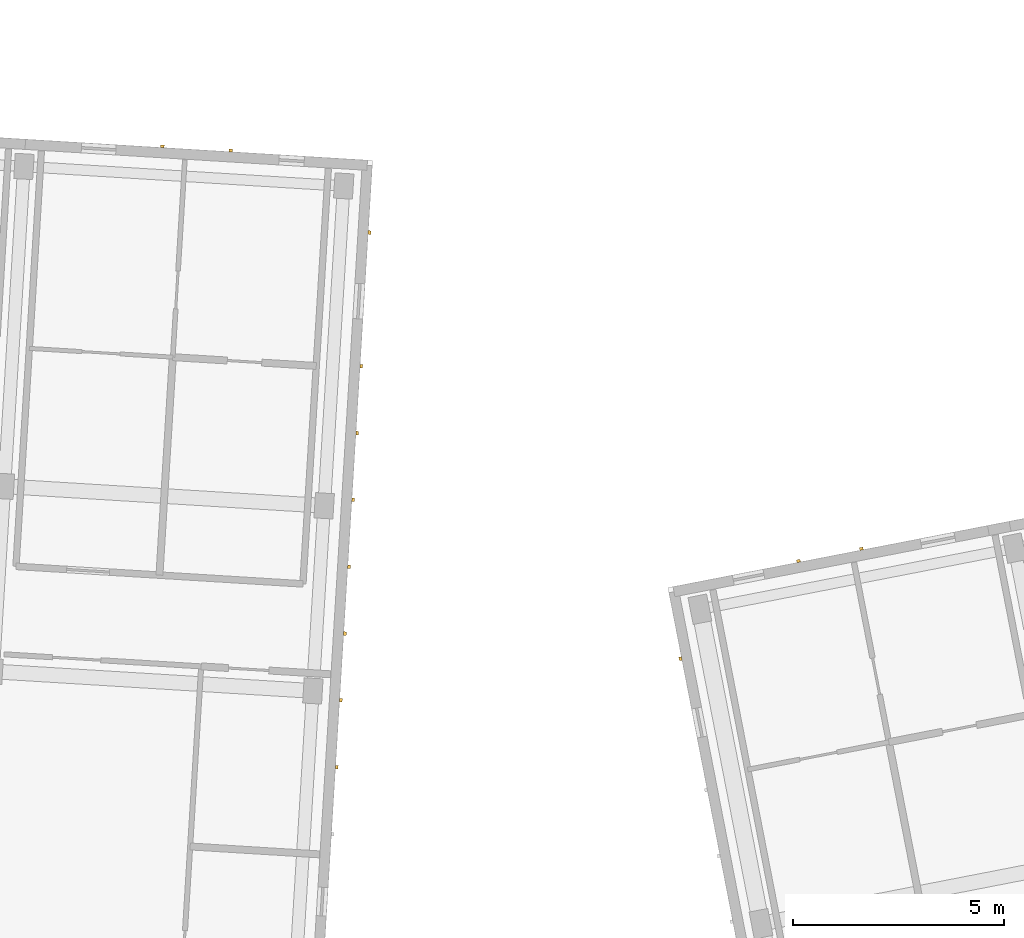
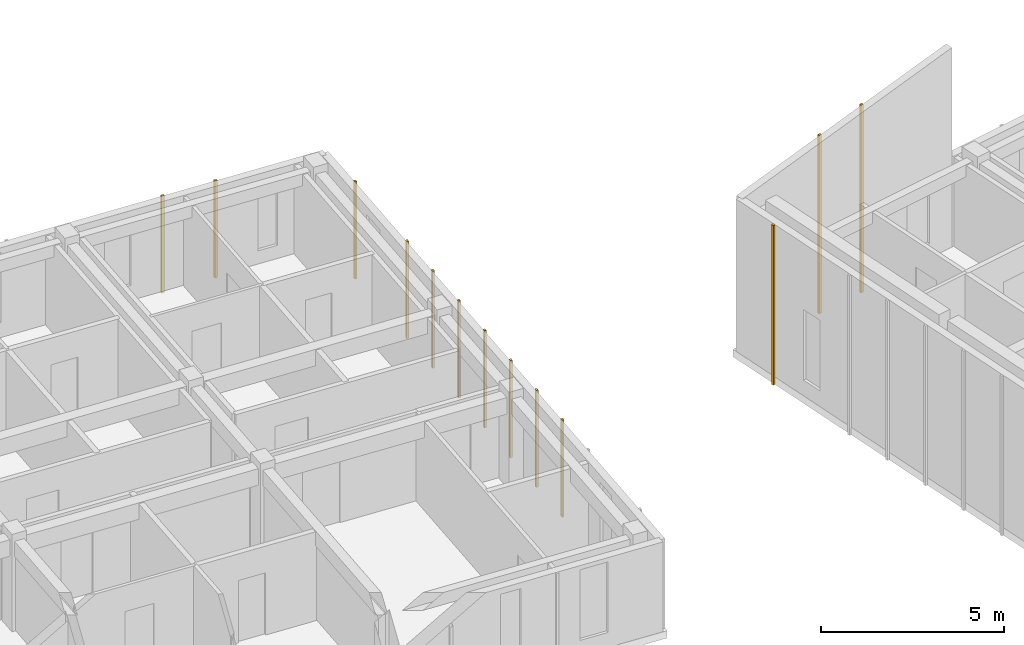
# One storey, part 52 of 65: 13 coverings.
"""IFC4 building model written with IfcOpenShell, lengths in metres."""

from ifc_helpers import new_model, si_unit, direction, frame, origin, origin_2d, place, context, subcontext, project, spatial, rectangle, extrude, material, layer, layer_set, type_object, element, save


model = new_model("IFC4")

# Units and contexts
model_context = context("Model", 3, precision=1e-05, world=origin(), true_north=direction((0.0, 1.0)))
body_context = subcontext(model_context, "Body", "Model", "MODEL_VIEW")
ifc_project = project(units=[si_unit("LENGTHUNIT", "METRE"), si_unit("AREAUNIT", "SQUARE_METRE"), si_unit("VOLUMEUNIT", "CUBIC_METRE"), si_unit("PLANEANGLEUNIT", "RADIAN"), si_unit("MASSUNIT", "GRAM", prefix="KILO")], contexts=[model_context])

# Site, building, storey
site_placement = place(None, origin())
site = spatial("IfcSite", under=ifc_project, at=site_placement, CompositionType="ELEMENT")
building_placement = place(site_placement, origin())
building = spatial("IfcBuilding", under=site, at=building_placement, Name="Kestramere Prow Commons", CompositionType="ELEMENT")
storey_placement = place(building_placement, frame((0.0, 0.0, 21.39990234375)))
storey = spatial("IfcBuildingStorey", under=building, at=storey_placement, Name="L06", CompositionType="ELEMENT", Elevation=21.39990234375)

# Coverings
ifc_material = material(Name="Weathered Zinc-Titanium Standing-Seam Cladding")
ifc_layer = layer(ifc_material, 0.074951171875)
ifc_layer_set = layer_set([ifc_layer], Name="Weathered Zinc-Titanium Standing-Seam Cladding")
covering_type = type_object("IfcCoveringType", Name="COV-CLAD-SEAM", PredefinedType="CLADDING", material=ifc_layer_set)
for number, where, z_axis, x_axis, name in (
    (1, (101.910888671875, 64.221435546875, -0.25), (0.0, 0.0, 1.0), (0.998134798422, -0.061048539535, 0.0), "EW-C-L06-N-5 Standing-Seam Rib 2"),
    (2, (103.532958984375, 64.122314453125, -0.25), (0.0, 0.0, 1.0), (0.998134798422, -0.061048539535, 0.0), "EW-C-L06-N-5 Standing-Seam Rib 3"),
    (3, (106.82275390625, 62.1767578125, -0.25), (0.0, 0.0, 1.0), (-0.061048539535, -0.998134798422, 0.0), "EW-C-L06-EAV Standing-Seam Rib 1"),
    (4, (106.62890625, 59.005859375, -0.25), (0.0, 0.0, 1.0), (-0.061048539535, -0.998134798422, 0.0), "EW-C-L06-EAV Standing-Seam Rib 3"),
    (5, (106.531982421875, 57.42041015625, -0.25), (0.0, 0.0, 1.0), (-0.061048539535, -0.998134798422, 0.0), "EW-C-L06-EAV Standing-Seam Rib 4"),
    (6, (106.434814453125, 55.834716796875, -0.25), (0.0, 0.0, 1.0), (-0.061048539535, -0.998134798422, 0.0), "EW-C-L06-EAV Standing-Seam Rib 5"),
    (7, (106.337890625, 54.249267578125, -0.25), (0.0, 0.0, 1.0), (-0.061048539535, -0.998134798422, 0.0), "EW-C-L06-EAV Standing-Seam Rib 6"),
    (8, (106.240966796875, 52.663818359375, -0.25), (0.0, 0.0, 1.0), (-0.061048539535, -0.998134798422, 0.0), "EW-C-L06-EAV Standing-Seam Rib 7"),
    (9, (106.14404296875, 51.078369140625, -0.25), (0.0, 0.0, 1.0), (-0.061048539535, -0.998134798422, 0.0), "EW-C-L06-EAV Standing-Seam Rib 8"),
    (10, (106.047119140625, 49.492919921875, -0.25), (0.0, 0.0, 1.0), (-0.061048539535, -0.998134798422, 0.0), "EW-C-L06-EAV Standing-Seam Rib 9"),
):
    element("IfcCovering", number, at=place(storey_placement, frame(where, z_axis=z_axis, x_axis=x_axis)), inside=storey, type_object=covering_type, Name=name, PredefinedType="CLADDING", context=body_context, shape_type="SweptSolid", body=[
        extrude(rectangle(XDim=0.0849609375, YDim=0.06494140625, at=origin_2d()), origin(), (0.0, 0.0, 1.0), 3.25),
    ])
covering_1_placement = place(storey_placement, frame((116.999755859375, 54.384765625, -0.249755859375), z_axis=(0.0, 0.0, 1.0), x_axis=(0.981627183448, 0.190808995377, 0.0)))
element("IfcCovering", 11, at=covering_1_placement, inside=storey, type_object=covering_type, Name="EW-D-L06-N-0 Standing-Seam Rib 2", PredefinedType="CLADDING", context=body_context, shape_type="SweptSolid", body=[
    extrude(rectangle(XDim=0.0849609375, YDim=0.06494140625, at=origin_2d()), origin(), (0.0, 0.0, 1.0), 5.96533203125),
])
covering_2_placement = place(storey_placement, frame((118.49169921875, 54.6748046875, -0.249755859375), z_axis=(0.0, 0.0, 1.0), x_axis=(0.981627183448, 0.190808995377, 0.0)))
element("IfcCovering", 12, at=covering_2_placement, inside=storey, type_object=covering_type, Name="EW-D-L06-N-0 Standing-Seam Rib 3", PredefinedType="CLADDING", context=body_context, shape_type="SweptSolid", body=[
    extrude(rectangle(XDim=0.0849609375, YDim=0.06494140625, at=origin_2d()), origin(), (0.0, 0.0, 1.0), 6.27978515625),
])
covering_3_placement = place(storey_placement, frame((114.197998046875, 52.066650390625, -0.25), z_axis=(0.0, 0.0, 1.0), x_axis=(-0.190808995377, 0.981627183448, 0.0)))
element("IfcCovering", 13, at=covering_3_placement, inside=storey, type_object=covering_type, Name="EW-D-L06-EAV Standing-Seam Rib 12", PredefinedType="CLADDING", context=body_context, shape_type="SweptSolid", body=[
    extrude(rectangle(XDim=0.0849609375, YDim=0.06494140625, at=origin_2d()), origin(), (0.0, 0.0, 1.0), 5.336181640625),
])

save(model, "model.ifc")
